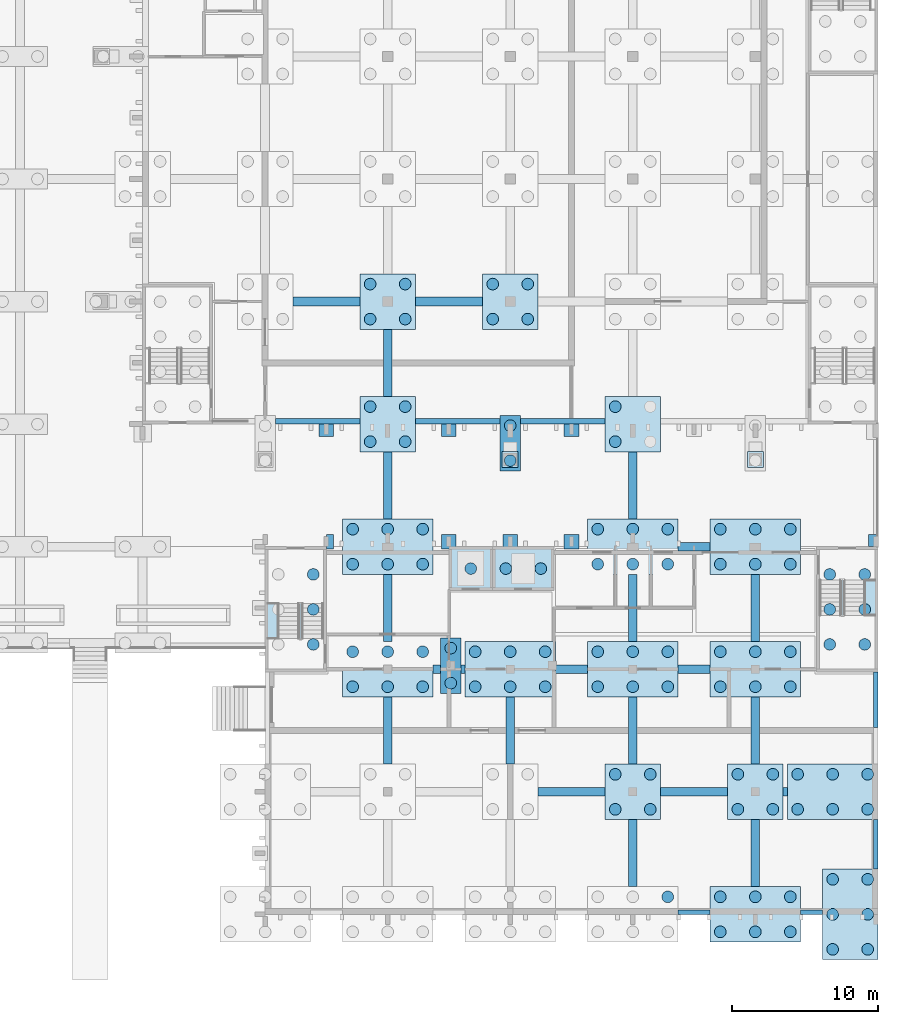
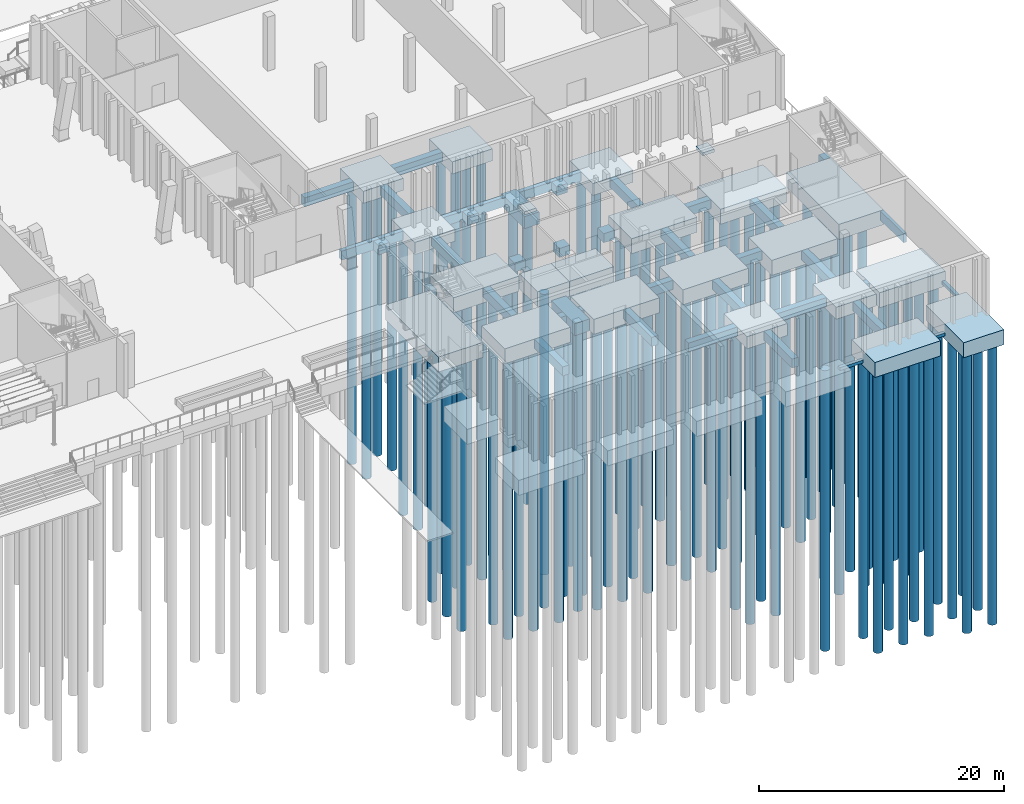
# One storey, part 8 of 129: 99 piles, 61 footings.
"""IFC4 building model written with IfcOpenShell, lengths in metres."""

from ifc_helpers import new_model, si_unit, direction, frame, origin, origin_2d, place, context, subcontext, project, spatial, rectangle, circle, extrude, material, material_profile, profile_set, type_object, element, save


model = new_model("IFC4")

# Units and contexts
model_context = context("Model", 3, precision=1e-05, world=origin(), true_north=direction((0.0, 1.0)))
body_context = subcontext(model_context, "Body", "Model", "MODEL_VIEW")
ifc_project = project(units=[si_unit("LENGTHUNIT", "METRE"), si_unit("AREAUNIT", "SQUARE_METRE"), si_unit("VOLUMEUNIT", "CUBIC_METRE"), si_unit("PLANEANGLEUNIT", "RADIAN"), si_unit("MASSUNIT", "GRAM", prefix="KILO")], contexts=[model_context])

# Site, building, storey
site_placement = place(None, origin())
site = spatial("IfcSite", under=ifc_project, at=site_placement, CompositionType="ELEMENT")
building_placement = place(site_placement, origin())
building = spatial("IfcBuilding", under=site, at=building_placement, Name="Kiln Court Media Centre", CompositionType="ELEMENT")
storey_placement = place(building_placement, origin())
storey = spatial("IfcBuildingStorey", under=building, at=storey_placement, Name="L00", CompositionType="ELEMENT", Elevation=0.0)

# Piles
ifc_material_1 = material(Name="Concrete C30/37", Category="concrete")
ifc_material_profile_1 = material_profile(ifc_material_1, circle(Radius=0.39990234375, at=origin_2d()), Name="PILE D800")
ifc_profile_set_1 = profile_set([ifc_material_profile_1], Name="Concrete C30/37")
pile_type_1 = type_object("IfcPileType", Name="Concrete C30/37 bored pile D800 cut-off -1.400 toe -29.400", PredefinedType="BORED", material=ifc_profile_set_1)
for number, where, z_axis, x_axis, name in (
    (1, (150.0, 7.199951171875, -1.39990234375), (0.0, 0.0, -1.0), (1.0, 0.0, 0.0), "L00-PI-1160"),
    (2, (152.39990234375, 7.199951171875, -1.39990234375), (0.0, 0.0, -1.0), (1.0, 0.0, 0.0), "L00-PI-1161"),
    (3, (150.0, 9.60009765625, -1.39990234375), (0.0, 0.0, -1.0), (1.0, 0.0, 0.0), "L00-PI-1162"),
    (4, (152.39990234375, 9.60009765625, -1.39990234375), (0.0, 0.0, -1.0), (1.0, 0.0, 0.0), "L00-PI-1163"),
    (5, (158.39990234375, 7.199951171875, -1.39990234375), (0.0, 0.0, -1.0), (1.0, 0.0, 0.0), "L00-PI-1164"),
    (6, (160.800048828125, 7.199951171875, -1.39990234375), (0.0, 0.0, -1.0), (1.0, 0.0, 0.0), "L00-PI-1165"),
    (7, (158.39990234375, 9.60009765625, -1.39990234375), (0.0, 0.0, -1.0), (1.0, 0.0, 0.0), "L00-PI-1166"),
    (8, (160.800048828125, 9.60009765625, -1.39990234375), (0.0, 0.0, -1.0), (1.0, 0.0, 0.0), "L00-PI-1167"),
    (9, (138.72509765625, 15.85009765625, -1.39990234375), (0.0, 0.0, -1.0), (1.0, 0.0, 0.0), "L00-PI-1249"),
    (10, (138.72509765625, 18.25, -1.39990234375), (0.0, 0.0, -1.0), (1.0, 0.0, 0.0), "L00-PI-1250"),
    (11, (142.800048828125, 31.10009765625, -1.39990234375), (0.0, 0.0, -1.0), (1.0, 0.0, 0.0), "L00-PI-1391"),
    (12, (142.800048828125, 33.5, -1.39990234375), (0.0, 0.0, -1.0), (1.0, 0.0, 0.0), "L00-PI-1392"),
    (13, (133.199951171875, 32.39990234375, -1.39990234375), (0.0, 0.0, -1.0), (1.0, 0.0, 0.0), "L00-PI-1444"),
    (14, (135.60009765625, 32.39990234375, -1.39990234375), (0.0, 0.0, -1.0), (1.0, 0.0, 0.0), "L00-PI-1445"),
    (15, (133.199951171875, 34.800048828125, -1.39990234375), (0.0, 0.0, -1.0), (1.0, 0.0, 0.0), "L00-PI-1446"),
    (16, (135.60009765625, 34.800048828125, -1.39990234375), (0.0, 0.0, -1.0), (1.0, 0.0, 0.0), "L00-PI-1447"),
    (17, (150.0, 32.39990234375, -1.39990234375), (0.0, 0.0, -1.0), (1.0, 0.0, 0.0), "L00-PI-1448"),
    (18, (150.0, 34.800048828125, -1.39990234375), (0.0, 0.0, -1.0), (1.0, 0.0, 0.0), "L00-PI-1450"),
    (19, (133.199951171875, 40.800048828125, -1.39990234375), (0.0, 0.0, -1.0), (1.0, 0.0, 0.0), "L00-PI-1567"),
    (20, (135.60009765625, 40.800048828125, -1.39990234375), (0.0, 0.0, -1.0), (1.0, 0.0, 0.0), "L00-PI-1568"),
    (21, (133.199951171875, 43.199951171875, -1.39990234375), (0.0, 0.0, -1.0), (1.0, 0.0, 0.0), "L00-PI-1569"),
    (22, (135.60009765625, 43.199951171875, -1.39990234375), (0.0, 0.0, -1.0), (1.0, 0.0, 0.0), "L00-PI-1570"),
    (23, (141.60009765625, 40.800048828125, -1.39990234375), (0.0, 0.0, -1.0), (1.0, 0.0, 0.0), "L00-PI-1571"),
    (24, (144.0, 40.800048828125, -1.39990234375), (0.0, 0.0, -1.0), (1.0, 0.0, 0.0), "L00-PI-1572"),
    (25, (141.60009765625, 43.199951171875, -1.39990234375), (0.0, 0.0, -1.0), (1.0, 0.0, 0.0), "L00-PI-1573"),
    (26, (144.0, 43.199951171875, -1.39990234375), (0.0, 0.0, -1.0), (1.0, 0.0, 0.0), "L00-PI-1574"),
):
    element("IfcPile", number, at=place(storey_placement, frame(where, z_axis=z_axis, x_axis=x_axis)), inside=storey, type_object=pile_type_1, Name=name, PredefinedType="BORED", context=body_context, shape_type="SweptSolid", body=[
        extrude(circle(Radius=0.39990234375, at=origin_2d()), origin(), (0.0, 0.0, 1.0), 28.0),
    ])
ifc_material_2 = material(Name="Concrete C30/37", Category="concrete")
ifc_material_profile_2 = material_profile(ifc_material_2, circle(Radius=0.39990234375, at=origin_2d()), Name="PILE D800")
ifc_profile_set_2 = profile_set([ifc_material_profile_2], Name="Concrete C30/37")
pile_type_2 = type_object("IfcPileType", Name="Concrete C30/37 bored pile D800 cut-off -1.700 toe -29.700", PredefinedType="BORED", material=ifc_profile_set_2)
for number, where, z_axis, x_axis, name in (
    (27, (153.60009765625, 1.199951171875, -1.699951171875), (0.0, 0.0, -1.0), (1.0, 0.0, 0.0), "L00-PI-1068"),
    (28, (157.199951171875, -1.199951171875, -1.699951171875), (0.0, 0.0, -1.0), (1.0, 0.0, 0.0), "L00-PI-1069"),
    (29, (159.60009765625, -1.199951171875, -1.699951171875), (0.0, 0.0, -1.0), (1.0, 0.0, 0.0), "L00-PI-1070"),
    (30, (162.0, -1.199951171875, -1.699951171875), (0.0, 0.0, -1.0), (1.0, 0.0, 0.0), "L00-PI-1071"),
    (31, (157.199951171875, 1.199951171875, -1.699951171875), (0.0, 0.0, -1.0), (1.0, 0.0, 0.0), "L00-PI-1072"),
    (32, (159.60009765625, 1.199951171875, -1.699951171875), (0.0, 0.0, -1.0), (1.0, 0.0, 0.0), "L00-PI-1073"),
    (33, (162.0, 1.199951171875, -1.699951171875), (0.0, 0.0, -1.0), (1.0, 0.0, 0.0), "L00-PI-1074"),
    (34, (164.89990234375, -2.39990234375, -1.699951171875), (0.0, 0.0, -1.0), (1.0, 0.0, 0.0), "L00-PI-1075"),
    (35, (167.300048828125, -2.39990234375, -1.699951171875), (0.0, 0.0, -1.0), (1.0, 0.0, 0.0), "L00-PI-1076"),
    (36, (164.89990234375, 0.0, -1.699951171875), (0.0, 0.0, -1.0), (1.0, 0.0, 0.0), "L00-PI-1077"),
    (37, (167.300048828125, 0.0, -1.699951171875), (0.0, 0.0, -1.0), (1.0, 0.0, 0.0), "L00-PI-1078"),
    (38, (164.89990234375, 2.39990234375, -1.699951171875), (0.0, 0.0, -1.0), (1.0, 0.0, 0.0), "L00-PI-1079"),
    (39, (167.300048828125, 2.39990234375, -1.699951171875), (0.0, 0.0, -1.0), (1.0, 0.0, 0.0), "L00-PI-1080"),
    (40, (162.5, 7.199951171875, -1.699951171875), (0.0, 0.0, -1.0), (1.0, 0.0, 0.0), "L00-PI-1168"),
    (41, (164.89990234375, 7.199951171875, -1.699951171875), (0.0, 0.0, -1.0), (1.0, 0.0, 0.0), "L00-PI-1169"),
    (42, (167.300048828125, 7.199951171875, -1.699951171875), (0.0, 0.0, -1.0), (1.0, 0.0, 0.0), "L00-PI-1170"),
    (43, (162.5, 9.60009765625, -1.699951171875), (0.0, 0.0, -1.0), (1.0, 0.0, 0.0), "L00-PI-1171"),
    (44, (164.89990234375, 9.60009765625, -1.699951171875), (0.0, 0.0, -1.0), (1.0, 0.0, 0.0), "L00-PI-1172"),
    (45, (167.300048828125, 9.60009765625, -1.699951171875), (0.0, 0.0, -1.0), (1.0, 0.0, 0.0), "L00-PI-1173"),
    (46, (132.0, 15.60009765625, -1.699951171875), (0.0, 0.0, -1.0), (1.0, 0.0, 0.0), "L00-PI-1225"),
    (47, (134.39990234375, 15.60009765625, -1.699951171875), (0.0, 0.0, -1.0), (1.0, 0.0, 0.0), "L00-PI-1226"),
    (48, (136.800048828125, 15.60009765625, -1.699951171875), (0.0, 0.0, -1.0), (1.0, 0.0, 0.0), "L00-PI-1227"),
    (49, (132.0, 18.0, -1.699951171875), (0.0, 0.0, -1.0), (1.0, 0.0, 0.0), "L00-PI-1228"),
    (50, (134.39990234375, 18.0, -1.699951171875), (0.0, 0.0, -1.0), (1.0, 0.0, 0.0), "L00-PI-1229"),
    (51, (136.800048828125, 18.0, -1.699951171875), (0.0, 0.0, -1.0), (1.0, 0.0, 0.0), "L00-PI-1230"),
    (52, (140.39990234375, 15.60009765625, -1.699951171875), (0.0, 0.0, -1.0), (1.0, 0.0, 0.0), "L00-PI-1231"),
    (53, (142.800048828125, 15.60009765625, -1.699951171875), (0.0, 0.0, -1.0), (1.0, 0.0, 0.0), "L00-PI-1232"),
    (54, (145.199951171875, 15.60009765625, -1.699951171875), (0.0, 0.0, -1.0), (1.0, 0.0, 0.0), "L00-PI-1233"),
    (55, (140.39990234375, 18.0, -1.699951171875), (0.0, 0.0, -1.0), (1.0, 0.0, 0.0), "L00-PI-1234"),
    (56, (142.800048828125, 18.0, -1.699951171875), (0.0, 0.0, -1.0), (1.0, 0.0, 0.0), "L00-PI-1235"),
    (57, (145.199951171875, 18.0, -1.699951171875), (0.0, 0.0, -1.0), (1.0, 0.0, 0.0), "L00-PI-1236"),
    (58, (148.800048828125, 15.60009765625, -1.699951171875), (0.0, 0.0, -1.0), (1.0, 0.0, 0.0), "L00-PI-1237"),
    (59, (151.199951171875, 15.60009765625, -1.699951171875), (0.0, 0.0, -1.0), (1.0, 0.0, 0.0), "L00-PI-1238"),
    (60, (153.60009765625, 15.60009765625, -1.699951171875), (0.0, 0.0, -1.0), (1.0, 0.0, 0.0), "L00-PI-1239"),
    (61, (148.800048828125, 18.0, -1.699951171875), (0.0, 0.0, -1.0), (1.0, 0.0, 0.0), "L00-PI-1240"),
    (62, (151.199951171875, 18.0, -1.699951171875), (0.0, 0.0, -1.0), (1.0, 0.0, 0.0), "L00-PI-1241"),
    (63, (153.60009765625, 18.0, -1.699951171875), (0.0, 0.0, -1.0), (1.0, 0.0, 0.0), "L00-PI-1242"),
    (64, (157.199951171875, 15.60009765625, -1.699951171875), (0.0, 0.0, -1.0), (1.0, 0.0, 0.0), "L00-PI-1243"),
    (65, (159.60009765625, 15.60009765625, -1.699951171875), (0.0, 0.0, -1.0), (1.0, 0.0, 0.0), "L00-PI-1244"),
    (66, (162.0, 15.60009765625, -1.699951171875), (0.0, 0.0, -1.0), (1.0, 0.0, 0.0), "L00-PI-1245"),
    (67, (157.199951171875, 18.0, -1.699951171875), (0.0, 0.0, -1.0), (1.0, 0.0, 0.0), "L00-PI-1246"),
    (68, (159.60009765625, 18.0, -1.699951171875), (0.0, 0.0, -1.0), (1.0, 0.0, 0.0), "L00-PI-1247"),
    (69, (162.0, 18.0, -1.699951171875), (0.0, 0.0, -1.0), (1.0, 0.0, 0.0), "L00-PI-1248"),
    (70, (129.300048828125, 18.5, -1.699951171875), (0.0, 0.0, -1.0), (1.0, 0.0, 0.0), "L00-PI-1280"),
    (71, (129.300048828125, 20.89990234375, -1.699951171875), (0.0, 0.0, -1.0), (1.0, 0.0, 0.0), "L00-PI-1282"),
    (72, (129.300048828125, 23.300048828125, -1.699951171875), (0.0, 0.0, -1.0), (1.0, 0.0, 0.0), "L00-PI-1284"),
    (73, (164.699951171875, 18.5, -1.699951171875), (0.0, 0.0, -1.0), (1.0, 0.0, 0.0), "L00-PI-1285"),
    (74, (167.10009765625, 18.5, -1.699951171875), (0.0, 0.0, -1.0), (1.0, 0.0, 0.0), "L00-PI-1286"),
    (75, (164.699951171875, 20.89990234375, -1.699951171875), (0.0, 0.0, -1.0), (1.0, 0.0, 0.0), "L00-PI-1287"),
    (76, (167.10009765625, 20.89990234375, -1.699951171875), (0.0, 0.0, -1.0), (1.0, 0.0, 0.0), "L00-PI-1288"),
    (77, (164.699951171875, 23.300048828125, -1.699951171875), (0.0, 0.0, -1.0), (1.0, 0.0, 0.0), "L00-PI-1289"),
    (78, (167.10009765625, 23.300048828125, -1.699951171875), (0.0, 0.0, -1.0), (1.0, 0.0, 0.0), "L00-PI-1290"),
    (79, (132.0, 24.0, -1.699951171875), (0.0, 0.0, -1.0), (1.0, 0.0, 0.0), "L00-PI-1344"),
    (80, (134.39990234375, 24.0, -1.699951171875), (0.0, 0.0, -1.0), (1.0, 0.0, 0.0), "L00-PI-1345"),
    (81, (136.800048828125, 24.0, -1.699951171875), (0.0, 0.0, -1.0), (1.0, 0.0, 0.0), "L00-PI-1346"),
    (82, (132.0, 26.39990234375, -1.699951171875), (0.0, 0.0, -1.0), (1.0, 0.0, 0.0), "L00-PI-1347"),
    (83, (134.39990234375, 26.39990234375, -1.699951171875), (0.0, 0.0, -1.0), (1.0, 0.0, 0.0), "L00-PI-1348"),
    (84, (136.800048828125, 26.39990234375, -1.699951171875), (0.0, 0.0, -1.0), (1.0, 0.0, 0.0), "L00-PI-1349"),
    (85, (148.800048828125, 24.0, -1.699951171875), (0.0, 0.0, -1.0), (1.0, 0.0, 0.0), "L00-PI-1350"),
    (86, (151.199951171875, 24.0, -1.699951171875), (0.0, 0.0, -1.0), (1.0, 0.0, 0.0), "L00-PI-1351"),
    (87, (153.60009765625, 24.0, -1.699951171875), (0.0, 0.0, -1.0), (1.0, 0.0, 0.0), "L00-PI-1352"),
    (88, (148.800048828125, 26.39990234375, -1.699951171875), (0.0, 0.0, -1.0), (1.0, 0.0, 0.0), "L00-PI-1353"),
    (89, (151.199951171875, 26.39990234375, -1.699951171875), (0.0, 0.0, -1.0), (1.0, 0.0, 0.0), "L00-PI-1354"),
    (90, (153.60009765625, 26.39990234375, -1.699951171875), (0.0, 0.0, -1.0), (1.0, 0.0, 0.0), "L00-PI-1355"),
    (91, (157.199951171875, 24.0, -1.699951171875), (0.0, 0.0, -1.0), (1.0, 0.0, 0.0), "L00-PI-1356"),
    (92, (159.60009765625, 24.0, -1.699951171875), (0.0, 0.0, -1.0), (1.0, 0.0, 0.0), "L00-PI-1357"),
    (93, (162.0, 24.0, -1.699951171875), (0.0, 0.0, -1.0), (1.0, 0.0, 0.0), "L00-PI-1358"),
    (94, (157.199951171875, 26.39990234375, -1.699951171875), (0.0, 0.0, -1.0), (1.0, 0.0, 0.0), "L00-PI-1359"),
    (95, (159.60009765625, 26.39990234375, -1.699951171875), (0.0, 0.0, -1.0), (1.0, 0.0, 0.0), "L00-PI-1360"),
    (96, (162.0, 26.39990234375, -1.699951171875), (0.0, 0.0, -1.0), (1.0, 0.0, 0.0), "L00-PI-1361"),
):
    element("IfcPile", number, at=place(storey_placement, frame(where, z_axis=z_axis, x_axis=x_axis)), inside=storey, type_object=pile_type_2, Name=name, PredefinedType="BORED", context=body_context, shape_type="SweptSolid", body=[
        extrude(circle(Radius=0.39990234375, at=origin_2d()), origin(), (0.0, 0.0, 1.0), 28.0),
    ])
ifc_material_3 = material(Name="Concrete C30/37", Category="concrete")
ifc_material_profile_3 = material_profile(ifc_material_3, circle(Radius=0.39990234375, at=origin_2d()), Name="PILE D800")
ifc_profile_set_3 = profile_set([ifc_material_profile_3], Name="Concrete C30/37")
pile_type_3 = type_object("IfcPileType", Name="Concrete C30/37 bored pile D800 cut-off -3.000 toe -31.000", PredefinedType="BORED", material=ifc_profile_set_3)
for number, where, z_axis, x_axis, name in (
    (97, (140.10009765625, 23.699951171875, -3.0), (0.0, 0.0, -1.0), (1.0, 0.0, 0.0), "L00-PI-1292"),
    (98, (142.5, 23.699951171875, -3.0), (0.0, 0.0, -1.0), (1.0, 0.0, 0.0), "L00-PI-1293"),
    (99, (144.89990234375, 23.699951171875, -3.0), (0.0, 0.0, -1.0), (1.0, 0.0, 0.0), "L00-PI-1294"),
):
    element("IfcPile", number, at=place(storey_placement, frame(where, z_axis=z_axis, x_axis=x_axis)), inside=storey, type_object=pile_type_3, Name=name, PredefinedType="BORED", context=body_context, shape_type="SweptSolid", body=[
        extrude(circle(Radius=0.39990234375, at=origin_2d()), origin(), (0.0, 0.0, 1.0), 28.0),
    ])

# Footings
ifc_material_4 = material(Name="Concrete C30/37", Category="concrete")
footing_type_1 = type_object("IfcFootingType", Name="Concrete C30/37 column pad 1000x900", PredefinedType="PAD_FOOTING", material=ifc_material_4)
for number, where, z_axis, x_axis, name in (
    (100, (130.199951171875, 33.175048828125, -1.199951171875), (0.0, 0.0, 1.0), (1.0, 0.0, 0.0), "L00-FT-1527"),
    (101, (138.60009765625, 33.175048828125, -1.199951171875), (0.0, 0.0, 1.0), (1.0, 0.0, 0.0), "L00-FT-1528"),
    (102, (147.0, 33.175048828125, -1.199951171875), (0.0, 0.0, 1.0), (1.0, 0.0, 0.0), "L00-FT-1529"),
):
    element("IfcFooting", number, at=place(storey_placement, frame(where, z_axis=z_axis, x_axis=x_axis)), inside=storey, type_object=footing_type_1, Name=name, PredefinedType="PAD_FOOTING", context=body_context, shape_type="SweptSolid", body=[
        extrude(rectangle(XDim=1.0, YDim=0.85009765625, at=origin_2d()), origin(), (0.0, 0.0, 1.0), 0.89990234375),
    ])
footing_1_placement = place(storey_placement, frame((130.449951171875, 25.550048828125, -1.199951171875), z_axis=(0.0, 0.0, 1.0), x_axis=(1.0, 0.0, 0.0)))
element("IfcFooting", 103, at=footing_1_placement, inside=storey, type_object=footing_type_1, Name="L00-FT-1544", PredefinedType="PAD_FOOTING", context=body_context, shape_type="SweptSolid", body=[
    extrude(rectangle(XDim=0.5, YDim=1.0, at=origin_2d()), origin(), (0.0, 0.0, 1.0), 0.89990234375),
])
for number, where, z_axis, x_axis, name in (
    (104, (138.60009765625, 25.550048828125, -1.199951171875), (0.0, 0.0, 1.0), (1.0, 0.0, 0.0), "L00-FT-1545"),
    (105, (142.800048828125, 25.550048828125, -1.199951171875), (0.0, 0.0, 1.0), (1.0, 0.0, 0.0), "L00-FT-1546"),
    (106, (147.0, 25.550048828125, -1.199951171875), (0.0, 0.0, 1.0), (1.0, 0.0, 0.0), "L00-FT-1547"),
):
    element("IfcFooting", number, at=place(storey_placement, frame(where, z_axis=z_axis, x_axis=x_axis)), inside=storey, type_object=footing_type_1, Name=name, PredefinedType="PAD_FOOTING", context=body_context, shape_type="SweptSolid", body=[
        extrude(rectangle(XDim=1.0, YDim=1.0, at=origin_2d()), origin(), (0.0, 0.0, 1.0), 0.89990234375),
    ])
footing_2_placement = place(storey_placement, frame((167.6748046875, 25.625, -1.199951171875), z_axis=(0.0, 0.0, 1.0), x_axis=(1.0, 0.0, 0.0)))
element("IfcFooting", 107, at=footing_2_placement, inside=storey, type_object=footing_type_1, Name="L00-FT-1548", PredefinedType="PAD_FOOTING", context=body_context, shape_type="SweptSolid", body=[
    extrude(rectangle(XDim=0.650146484375, YDim=0.85009765625, at=origin_2d()), origin(), (0.0, 0.0, 1.0), 0.89990234375),
])
ifc_material_5 = material(Name="Concrete C30/37", Category="concrete")
footing_type_2 = type_object("IfcFootingType", Name="Concrete C30/37 foot pier 1100x1100", PredefinedType="PAD_FOOTING", material=ifc_material_5)
for number, where, z_axis, x_axis, name in (
    (108, (142.800048828125, 31.17333984375, -0.2998046875), (0.0, 0.0, 1.0), (1.0, 0.0, 0.0), "L00-FT-1008"),
    (109, (159.60009765625, 31.17333984375, -0.2998046875), (0.0, 0.0, 1.0), (1.0, 0.0, 0.0), "L00-FT-1009"),
):
    element("IfcFooting", number, at=place(storey_placement, frame(where, z_axis=z_axis, x_axis=x_axis)), inside=storey, type_object=footing_type_2, Name=name, PredefinedType="PAD_FOOTING", context=body_context, shape_type="SweptSolid", body=[
        extrude(rectangle(XDim=1.10009765625, YDim=1.10009765625, at=origin_2d()), origin(), (0.0, 0.0, 1.0), 0.300048828125),
    ])
ifc_material_6 = material(Name="Concrete C30/37", Category="concrete")
footing_type_3 = type_object("IfcFootingType", Name="Concrete C30/37 ground beam 600x900", PredefinedType="STRIP_FOOTING", material=ifc_material_6)
for number, where, z_axis, x_axis, name in (
    (110, (151.199951171875, 4.199951171875, -1.199951171875), (0.0, 0.0, 1.0), (1.0, 0.0, 0.0), "L00-FT-1235"),
    (111, (159.60009765625, 4.199951171875, -1.199951171875), (0.0, 0.0, 1.0), (1.0, 0.0, 0.0), "L00-FT-1236"),
):
    element("IfcFooting", number, at=place(storey_placement, frame(where, z_axis=z_axis, x_axis=x_axis)), inside=storey, type_object=footing_type_3, Name=name, PredefinedType="STRIP_FOOTING", context=body_context, shape_type="SweptSolid", body=[
        extrude(rectangle(XDim=0.60009765625, YDim=4.60009765625, at=origin_2d()), origin(), (0.0, 0.0, 1.0), 0.89990234375),
    ])
for number, where, z_axis, x_axis, name in (
    (112, (147.0, 8.39990234375, -1.199951171875), (0.0, 0.0, 1.0), (1.0, 0.0, 0.0), "L00-FT-1243"),
    (113, (155.39990234375, 8.39990234375, -1.199951171875), (0.0, 0.0, 1.0), (1.0, 0.0, 0.0), "L00-FT-1244"),
):
    element("IfcFooting", number, at=place(storey_placement, frame(where, z_axis=z_axis, x_axis=x_axis)), inside=storey, type_object=footing_type_3, Name=name, PredefinedType="STRIP_FOOTING", context=body_context, shape_type="SweptSolid", body=[
        extrude(rectangle(XDim=4.60009765625, YDim=0.60009765625, at=origin_2d()), origin(), (0.0, 0.0, 1.0), 0.89990234375),
    ])
footing_3_placement = place(storey_placement, frame((161.64990234375, 8.39990234375, -1.199951171875), z_axis=(0.0, 0.0, 1.0), x_axis=(1.0, 0.0, 0.0)))
element("IfcFooting", 114, at=footing_3_placement, inside=storey, type_object=footing_type_3, Name="L00-FT-1245", PredefinedType="STRIP_FOOTING", context=body_context, shape_type="SweptSolid", body=[
    extrude(rectangle(XDim=0.300048828125, YDim=0.60009765625, at=origin_2d()), origin(), (0.0, 0.0, 1.0), 0.89990234375),
])
for number, where, z_axis, x_axis, name in (
    (115, (134.39990234375, 12.60009765625, -1.199951171875), (0.0, 0.0, 1.0), (1.0, 0.0, 0.0), "L00-FT-1251"),
    (116, (142.800048828125, 12.60009765625, -1.199951171875), (0.0, 0.0, 1.0), (1.0, 0.0, 0.0), "L00-FT-1252"),
    (117, (151.199951171875, 12.60009765625, -1.199951171875), (0.0, 0.0, 1.0), (1.0, 0.0, 0.0), "L00-FT-1253"),
    (118, (159.60009765625, 12.60009765625, -1.199951171875), (0.0, 0.0, 1.0), (1.0, 0.0, 0.0), "L00-FT-1254"),
):
    element("IfcFooting", number, at=place(storey_placement, frame(where, z_axis=z_axis, x_axis=x_axis)), inside=storey, type_object=footing_type_3, Name=name, PredefinedType="STRIP_FOOTING", context=body_context, shape_type="SweptSolid", body=[
        extrude(rectangle(XDim=0.60009765625, YDim=4.60009765625, at=origin_2d()), origin(), (0.0, 0.0, 1.0), 0.89990234375),
    ])
footing_4_placement = place(storey_placement, frame((137.762451171875, 16.800048828125, -1.199951171875), z_axis=(0.0, 0.0, 1.0), x_axis=(1.0, 0.0, 0.0)))
element("IfcFooting", 119, at=footing_4_placement, inside=storey, type_object=footing_type_3, Name="L00-FT-1261", PredefinedType="STRIP_FOOTING", context=body_context, shape_type="SweptSolid", body=[
    extrude(rectangle(XDim=0.52490234375, YDim=0.60009765625, at=origin_2d()), origin(), (0.0, 0.0, 1.0), 0.89990234375),
])
footing_5_placement = place(storey_placement, frame((139.5625, 16.800048828125, -1.199951171875), z_axis=(0.0, 0.0, 1.0), x_axis=(1.0, 0.0, 0.0)))
element("IfcFooting", 120, at=footing_5_placement, inside=storey, type_object=footing_type_3, Name="L00-FT-1262", PredefinedType="STRIP_FOOTING", context=body_context, shape_type="SweptSolid", body=[
    extrude(rectangle(XDim=0.27490234375, YDim=0.60009765625, at=origin_2d()), origin(), (0.0, 0.0, 1.0), 0.89990234375),
])
for number, where, z_axis, x_axis, name in (
    (121, (147.0, 16.800048828125, -1.199951171875), (0.0, 0.0, 1.0), (1.0, 0.0, 0.0), "L00-FT-1263"),
    (122, (155.39990234375, 16.800048828125, -1.199951171875), (0.0, 0.0, 1.0), (1.0, 0.0, 0.0), "L00-FT-1264"),
):
    element("IfcFooting", number, at=place(storey_placement, frame(where, z_axis=z_axis, x_axis=x_axis)), inside=storey, type_object=footing_type_3, Name=name, PredefinedType="STRIP_FOOTING", context=body_context, shape_type="SweptSolid", body=[
        extrude(rectangle(XDim=2.199951171875, YDim=0.60009765625, at=origin_2d()), origin(), (0.0, 0.0, 1.0), 0.89990234375),
    ])
for number, where, z_axis, x_axis, name in (
    (123, (134.39990234375, 21.0, -1.199951171875), (0.0, 0.0, 1.0), (1.0, 0.0, 0.0), "L00-FT-1270"),
    (124, (151.199951171875, 21.0, -1.199951171875), (0.0, 0.0, 1.0), (1.0, 0.0, 0.0), "L00-FT-1271"),
    (125, (159.60009765625, 21.0, -1.199951171875), (0.0, 0.0, 1.0), (1.0, 0.0, 0.0), "L00-FT-1272"),
):
    element("IfcFooting", number, at=place(storey_placement, frame(where, z_axis=z_axis, x_axis=x_axis)), inside=storey, type_object=footing_type_3, Name=name, PredefinedType="STRIP_FOOTING", context=body_context, shape_type="SweptSolid", body=[
        extrude(rectangle(XDim=0.60009765625, YDim=4.60009765625, at=origin_2d()), origin(), (0.0, 0.0, 1.0), 0.89990234375),
    ])
footing_6_placement = place(storey_placement, frame((155.39990234375, 25.199951171875, -1.199951171875), z_axis=(0.0, 0.0, 1.0), x_axis=(1.0, 0.0, 0.0)))
element("IfcFooting", 126, at=footing_6_placement, inside=storey, type_object=footing_type_3, Name="L00-FT-1296", PredefinedType="STRIP_FOOTING", context=body_context, shape_type="SweptSolid", body=[
    extrude(rectangle(XDim=2.199951171875, YDim=0.60009765625, at=origin_2d()), origin(), (0.0, 0.0, 1.0), 0.89990234375),
])
for number, where, z_axis, x_axis, name in (
    (127, (134.39990234375, 29.39990234375, -1.199951171875), (0.0, 0.0, 1.0), (1.0, 0.0, 0.0), "L00-FT-1306"),
    (128, (151.199951171875, 29.39990234375, -1.199951171875), (0.0, 0.0, 1.0), (1.0, 0.0, 0.0), "L00-FT-1307"),
    (129, (134.39990234375, 37.800048828125, -1.199951171875), (0.0, 0.0, 1.0), (1.0, 0.0, 0.0), "L00-FT-1326"),
):
    element("IfcFooting", number, at=place(storey_placement, frame(where, z_axis=z_axis, x_axis=x_axis)), inside=storey, type_object=footing_type_3, Name=name, PredefinedType="STRIP_FOOTING", context=body_context, shape_type="SweptSolid", body=[
        extrude(rectangle(XDim=0.60009765625, YDim=4.60009765625, at=origin_2d()), origin(), (0.0, 0.0, 1.0), 0.89990234375),
    ])
for number, where, z_axis, x_axis, name in (
    (130, (130.199951171875, 42.0, -1.199951171875), (0.0, 0.0, 1.0), (1.0, 0.0, 0.0), "L00-FT-1337"),
    (131, (138.60009765625, 42.0, -1.199951171875), (0.0, 0.0, 1.0), (1.0, 0.0, 0.0), "L00-FT-1338"),
):
    element("IfcFooting", number, at=place(storey_placement, frame(where, z_axis=z_axis, x_axis=x_axis)), inside=storey, type_object=footing_type_3, Name=name, PredefinedType="STRIP_FOOTING", context=body_context, shape_type="SweptSolid", body=[
        extrude(rectangle(XDim=4.60009765625, YDim=0.60009765625, at=origin_2d()), origin(), (0.0, 0.0, 1.0), 0.89990234375),
    ])
ifc_material_7 = material(Name="Concrete C30/37", Category="concrete")
footing_type_4 = type_object("IfcFootingType", Name="Concrete C30/37 pile cap 1400x3800x1200", PredefinedType="PILE_CAP", material=ifc_material_7)
for number, where, z_axis, x_axis, name in (
    (132, (138.72509765625, 17.050048828125, -1.5), (0.0, 0.0, 1.0), (1.0, 0.0, 0.0), "L00-FT-1055"),
    (133, (142.800048828125, 32.300048828125, -1.5), (0.0, 0.0, 1.0), (1.0, 0.0, 0.0), "L00-FT-1094"),
):
    element("IfcFooting", number, at=place(storey_placement, frame(where, z_axis=z_axis, x_axis=x_axis)), inside=storey, type_object=footing_type_4, Name=name, PredefinedType="PILE_CAP", context=body_context, shape_type="SweptSolid", body=[
        extrude(rectangle(XDim=1.39990234375, YDim=3.800048828125, at=origin_2d()), origin(), (0.0, 0.0, 1.0), 1.199951171875),
    ])
ifc_material_8 = material(Name="Concrete C30/37", Category="concrete")
footing_type_5 = type_object("IfcFootingType", Name="Concrete C30/37 pile cap 3000x3000x1500", PredefinedType="PILE_CAP", material=ifc_material_8)
footing_7_placement = place(storey_placement, frame((140.10009765625, 23.699951171875, -3.10009765625), z_axis=(0.0, 0.0, 1.0), x_axis=(1.0, 0.0, 0.0)))
element("IfcFooting", 134, at=footing_7_placement, inside=storey, type_object=footing_type_5, Name="L00-FT-1068", PredefinedType="PILE_CAP", context=body_context, shape_type="SweptSolid", body=[
    extrude(rectangle(XDim=3.0, YDim=3.0, at=origin_2d()), origin(), (0.0, 0.0, 1.0), 1.5),
])
ifc_material_9 = material(Name="Concrete C30/37", Category="concrete")
footing_type_6 = type_object("IfcFootingType", Name="Concrete C30/37 pile cap 3800x3800x1200", PredefinedType="PILE_CAP", material=ifc_material_9)
for number, where, z_axis, x_axis, name in (
    (135, (151.199951171875, 8.39990234375, -1.5), (0.0, 0.0, 1.0), (1.0, 0.0, 0.0), "L00-FT-1038"),
    (136, (159.60009765625, 8.39990234375, -1.5), (0.0, 0.0, 1.0), (1.0, 0.0, 0.0), "L00-FT-1039"),
    (137, (134.39990234375, 33.60009765625, -1.5), (0.0, 0.0, 1.0), (1.0, 0.0, 0.0), "L00-FT-1108"),
    (138, (151.199951171875, 33.60009765625, -1.5), (0.0, 0.0, 1.0), (1.0, 0.0, 0.0), "L00-FT-1109"),
    (139, (134.39990234375, 42.0, -1.5), (0.0, 0.0, 1.0), (1.0, 0.0, 0.0), "L00-FT-1135"),
    (140, (142.800048828125, 42.0, -1.5), (0.0, 0.0, 1.0), (1.0, 0.0, 0.0), "L00-FT-1136"),
):
    element("IfcFooting", number, at=place(storey_placement, frame(where, z_axis=z_axis, x_axis=x_axis)), inside=storey, type_object=footing_type_6, Name=name, PredefinedType="PILE_CAP", context=body_context, shape_type="SweptSolid", body=[
        extrude(rectangle(XDim=3.800048828125, YDim=3.800048828125, at=origin_2d()), origin(), (0.0, 0.0, 1.0), 1.199951171875),
    ])
ifc_material_10 = material(Name="Concrete C30/37", Category="concrete")
footing_type_7 = type_object("IfcFootingType", Name="Concrete C30/37 pile cap 3800x6200x1500", PredefinedType="PILE_CAP", material=ifc_material_10)
footing_8_placement = place(storey_placement, frame((166.099609375, 0.0, -1.800048828125), z_axis=(0.0, 0.0, 1.0), x_axis=(1.0, 0.0, 0.0)))
element("IfcFooting", 141, at=footing_8_placement, inside=storey, type_object=footing_type_7, Name="L00-FT-1025", PredefinedType="PILE_CAP", context=body_context, shape_type="SweptSolid", body=[
    extrude(rectangle(XDim=3.800048828125, YDim=6.199951171875, at=origin_2d()), origin(), (0.0, 0.0, 1.0), 1.5),
])
ifc_material_11 = material(Name="Concrete C30/37", Category="concrete")
footing_type_8 = type_object("IfcFootingType", Name="Concrete C30/37 pile cap 4200x3000x1500", PredefinedType="PILE_CAP", material=ifc_material_11)
footing_9_placement = place(storey_placement, frame((143.699951171875, 23.699951171875, -3.10009765625), z_axis=(0.0, 0.0, 1.0), x_axis=(1.0, 0.0, 0.0)))
element("IfcFooting", 142, at=footing_9_placement, inside=storey, type_object=footing_type_8, Name="L00-FT-1069", PredefinedType="PILE_CAP", context=body_context, shape_type="SweptSolid", body=[
    extrude(rectangle(XDim=4.199951171875, YDim=3.0, at=origin_2d()), origin(), (0.0, 0.0, 1.0), 1.5),
])
ifc_material_12 = material(Name="Concrete C30/37", Category="concrete")
footing_type_9 = type_object("IfcFootingType", Name="Concrete C30/37 pile cap 4200x8600x1500", PredefinedType="PILE_CAP", material=ifc_material_12)
for number, where, z_axis, x_axis, name in (
    (143, (128.10009765625, 20.89990234375, -1.800048828125), (0.0, 0.0, 1.0), (1.0, 0.0, 0.0), "L00-FT-1065"),
    (144, (165.899658203125, 20.89990234375, -1.800048828125), (0.0, 0.0, 1.0), (1.0, 0.0, 0.0), "L00-FT-1066"),
):
    element("IfcFooting", number, at=place(storey_placement, frame(where, z_axis=z_axis, x_axis=x_axis)), inside=storey, type_object=footing_type_9, Name=name, PredefinedType="PILE_CAP", context=body_context, shape_type="SweptSolid", body=[
        extrude(rectangle(XDim=4.199951171875, YDim=8.60009765625, at=origin_2d()), origin(), (0.0, 0.0, 1.0), 1.5),
    ])
ifc_material_13 = material(Name="Concrete C30/37", Category="concrete")
footing_type_10 = type_object("IfcFootingType", Name="Concrete C30/37 pile cap 6200x3800x1500", PredefinedType="PILE_CAP", material=ifc_material_13)
for number, where, z_axis, x_axis, name in (
    (145, (159.60009765625, 0.0, -1.800048828125), (0.0, 0.0, 1.0), (1.0, 0.0, 0.0), "L00-FT-1024"),
    (146, (164.899658203125, 8.39990234375, -1.800048828125), (0.0, 0.0, 1.0), (1.0, 0.0, 0.0), "L00-FT-1040"),
    (147, (134.39990234375, 16.800048828125, -1.800048828125), (0.0, 0.0, 1.0), (1.0, 0.0, 0.0), "L00-FT-1051"),
    (148, (142.800048828125, 16.800048828125, -1.800048828125), (0.0, 0.0, 1.0), (1.0, 0.0, 0.0), "L00-FT-1052"),
    (149, (151.199951171875, 16.800048828125, -1.800048828125), (0.0, 0.0, 1.0), (1.0, 0.0, 0.0), "L00-FT-1053"),
    (150, (159.60009765625, 16.800048828125, -1.800048828125), (0.0, 0.0, 1.0), (1.0, 0.0, 0.0), "L00-FT-1054"),
    (151, (134.39990234375, 25.199951171875, -1.800048828125), (0.0, 0.0, 1.0), (1.0, 0.0, 0.0), "L00-FT-1081"),
    (152, (151.199951171875, 25.199951171875, -1.800048828125), (0.0, 0.0, 1.0), (1.0, 0.0, 0.0), "L00-FT-1082"),
    (153, (159.60009765625, 25.199951171875, -1.800048828125), (0.0, 0.0, 1.0), (1.0, 0.0, 0.0), "L00-FT-1083"),
):
    element("IfcFooting", number, at=place(storey_placement, frame(where, z_axis=z_axis, x_axis=x_axis)), inside=storey, type_object=footing_type_10, Name=name, PredefinedType="PILE_CAP", context=body_context, shape_type="SweptSolid", body=[
        extrude(rectangle(XDim=6.199951171875, YDim=3.800048828125, at=origin_2d()), origin(), (0.0, 0.0, 1.0), 1.5),
    ])
ifc_material_14 = material(Name="Concrete C30/37", Category="concrete")
footing_type_11 = type_object("IfcFootingType", Name="Concrete C30/37 wall footing 300x300", PredefinedType="STRIP_FOOTING", material=ifc_material_14)
footing_10_placement = place(storey_placement, frame((155.39990234375, 0.14990234375, -1.5), z_axis=(0.0, 0.0, 1.0), x_axis=(1.0, 0.0, 0.0)))
element("IfcFooting", 154, at=footing_10_placement, inside=storey, type_object=footing_type_11, Name="L00-FT-1485", PredefinedType="STRIP_FOOTING", context=body_context, shape_type="SweptSolid", body=[
    extrude(rectangle(XDim=2.199951171875, YDim=0.300048828125, at=origin_2d()), origin(), (0.0, 0.0, 1.0), 0.300048828125),
])
footing_11_placement = place(storey_placement, frame((163.449951171875, 0.14990234375, -1.5), z_axis=(0.0, 0.0, 1.0), x_axis=(1.0, 0.0, 0.0)))
element("IfcFooting", 155, at=footing_11_placement, inside=storey, type_object=footing_type_11, Name="L00-FT-1486", PredefinedType="STRIP_FOOTING", context=body_context, shape_type="SweptSolid", body=[
    extrude(rectangle(XDim=1.5, YDim=0.300048828125, at=origin_2d()), origin(), (0.0, 0.0, 1.0), 0.300048828125),
])
footing_12_placement = place(storey_placement, frame((167.849609375, 4.800048828125, -1.5), z_axis=(0.0, 0.0, 1.0), x_axis=(1.0, 0.0, 0.0)))
element("IfcFooting", 156, at=footing_12_placement, inside=storey, type_object=footing_type_11, Name="L00-FT-1487", PredefinedType="STRIP_FOOTING", context=body_context, shape_type="SweptSolid", body=[
    extrude(rectangle(XDim=0.300048828125, YDim=3.39990234375, at=origin_2d()), origin(), (0.0, 0.0, 1.0), 0.300048828125),
])
ifc_material_15 = material(Name="Concrete C30/37", Category="concrete")
footing_type_12 = type_object("IfcFootingType", Name="Concrete C30/37 wall footing 300x900", PredefinedType="STRIP_FOOTING", material=ifc_material_15)
footing_13_placement = place(storey_placement, frame((167.849609375, 14.699951171875, -1.199951171875), z_axis=(0.0, 0.0, 1.0), x_axis=(1.0, 0.0, 0.0)))
element("IfcFooting", 157, at=footing_13_placement, inside=storey, type_object=footing_type_12, Name="L00-FT-1451", PredefinedType="STRIP_FOOTING", context=body_context, shape_type="SweptSolid", body=[
    extrude(rectangle(XDim=0.300048828125, YDim=3.800048828125, at=origin_2d()), origin(), (0.0, 0.0, 1.0), 0.89990234375),
])
ifc_material_16 = material(Name="Concrete C30/37", Category="concrete")
footing_type_13 = type_object("IfcFootingType", Name="Concrete C30/37 wall footing 400x900", PredefinedType="STRIP_FOOTING", material=ifc_material_16)
for number, where, z_axis, x_axis, name in (
    (158, (129.60009765625, 33.800048828125, -1.199951171875), (0.0, 0.0, 1.0), (1.0, 0.0, 0.0), "L00-FT-1454"),
    (159, (139.199951171875, 33.800048828125, -1.199951171875), (0.0, 0.0, 1.0), (1.0, 0.0, 0.0), "L00-FT-1455"),
    (160, (146.39990234375, 33.800048828125, -1.199951171875), (0.0, 0.0, 1.0), (1.0, 0.0, 0.0), "L00-FT-1456"),
):
    element("IfcFooting", number, at=place(storey_placement, frame(where, z_axis=z_axis, x_axis=x_axis)), inside=storey, type_object=footing_type_13, Name=name, PredefinedType="STRIP_FOOTING", context=body_context, shape_type="SweptSolid", body=[
        extrude(rectangle(XDim=5.800048828125, YDim=0.39990234375, at=origin_2d()), origin(), (0.0, 0.0, 1.0), 0.89990234375),
    ])

save(model, "model.ifc")
